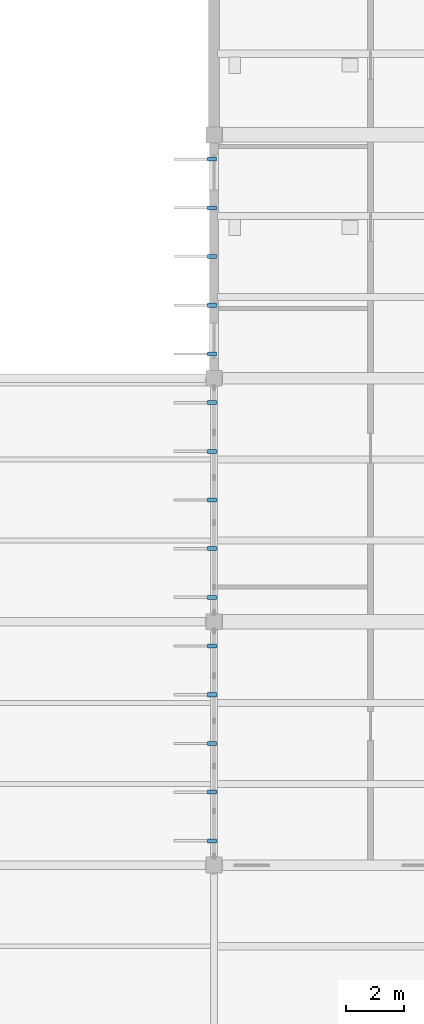
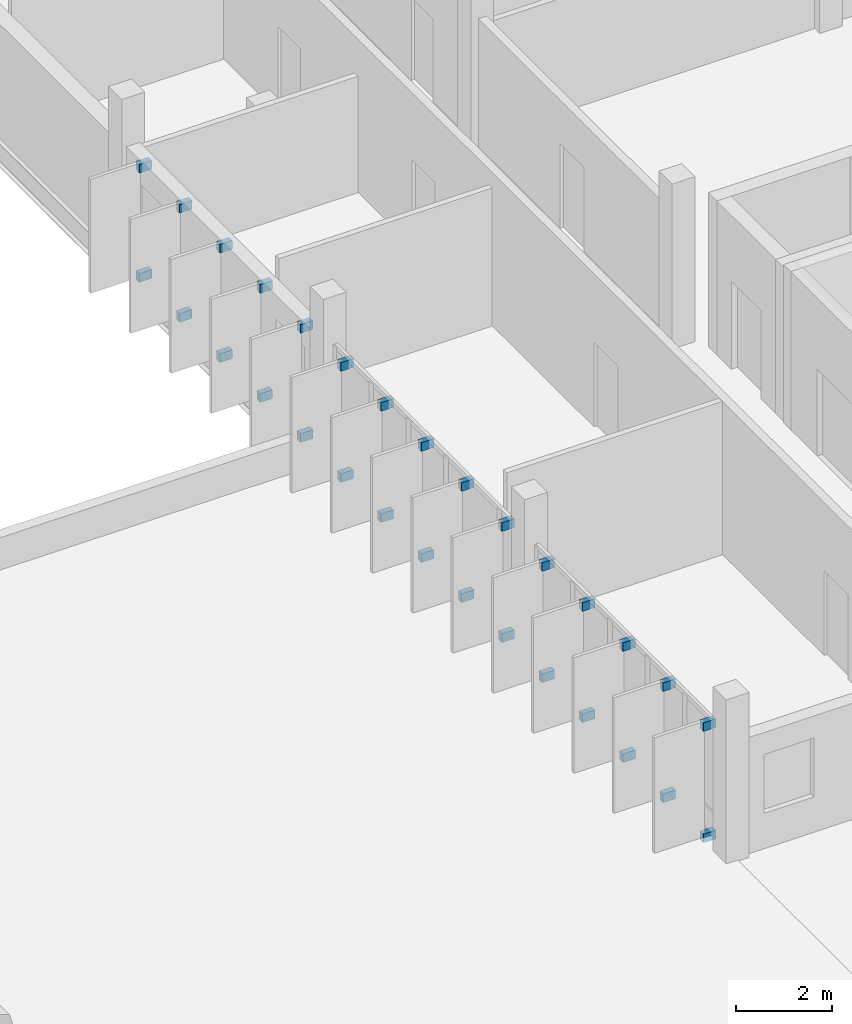
# One storey, part 120 of 130: 30 discrete accessories.
"""IFC4 building model written with IfcOpenShell, lengths in metres."""

import ifcopenshell
import ifcopenshell.guid

model = None  # the IFC model being written
_history = None  # IfcOwnerHistory: only IFC2X3 demands one
_inside = {}  # id of a spatial element -> (the spatial element, [elements in it])
_under = {}  # id of a project, library or spatial element -> (it, [spatial elements below it])
_declared = {}  # id of a project -> (the project, [libraries it declares])
_typed = {}  # id of a type object -> (the type object, [elements of that type])
_made_of = {}  # id of a material, layer set ... -> (it, [elements and type objects made of it])


def new_model(schema):
    """Start an empty IFC model of exactly this schema.

    Asked for "IFC4X3", IfcOpenShell would pick the latest addendum, in which some entities
    have other attributes; the version numbers below select the first issue.
    IFC2X3 requires an IfcOwnerHistory on every rooted entity: one is made here for all.
    """
    global model, _history
    if schema == "IFC4X3":
        model = ifcopenshell.file(schema_version=(4, 3, 0, 0))
    else:
        model = ifcopenshell.file(schema=schema)
    _inside.clear()
    _under.clear()
    _declared.clear()
    _typed.clear()
    _made_of.clear()
    _history = None
    if model.schema == "IFC2X3":
        org = make("IfcOrganization", Name="unknown")
        user = make(
            "IfcPersonAndOrganization",
            ThePerson=make("IfcPerson", FamilyName="unknown"),
            TheOrganization=org,
        )
        app = make(
            "IfcApplication",
            ApplicationDeveloper=org,
            Version="unknown",
            ApplicationFullName="unknown",
            ApplicationIdentifier="unknown",
        )
        _history = make(
            "IfcOwnerHistory",
            OwningUser=user,
            OwningApplication=app,
            ChangeAction="ADDED",
            CreationDate=0,
        )
    return model


def make(cls, **values):
    """One entity of the class cls with the attributes given. An attribute that is None is left unset."""
    return model.create_entity(
        cls, **{name: value for name, value in values.items() if value is not None}
    )


def rooted(cls, **values):
    """An entity with a GlobalId (a new one), such as an element, a storey or a relation."""
    return make(cls, GlobalId=ifcopenshell.guid.new(), OwnerHistory=_history, **values)


def si_unit(unit_type, name, prefix=None):
    """IfcSIUnit, for example si_unit("LENGTHUNIT", "METRE", prefix="MILLI")."""
    return make("IfcSIUnit", UnitType=unit_type, Prefix=prefix, Name=name)


def assignment(units):
    """IfcUnitAssignment: the units of a project."""
    return None if units is None else make("IfcUnitAssignment", Units=units)


def point(xyz):
    """IfcCartesianPoint."""
    return None if xyz is None else make("IfcCartesianPoint", Coordinates=xyz)


def direction(xyz):
    """IfcDirection."""
    return None if xyz is None else make("IfcDirection", DirectionRatios=xyz)


def frame(location, z_axis=None, x_axis=None):
    """IfcAxis2Placement3D, a coordinate frame: its origin and axes. An axis left out is left unset."""
    return make(
        "IfcAxis2Placement3D",
        Location=point(location),
        Axis=direction(z_axis),
        RefDirection=direction(x_axis),
    )


def frame_2d(location, x_axis=None):
    """IfcAxis2Placement2D, a coordinate frame in the plane: its origin and x axis."""
    return make(
        "IfcAxis2Placement2D", Location=point(location), RefDirection=direction(x_axis)
    )


def origin():
    """The frame at (0, 0, 0) with its axes left unset."""
    return frame((0.0, 0.0, 0.0))


def origin_2d():
    """The frame at (0, 0) in the plane with its x axis left unset."""
    return frame_2d((0.0, 0.0))


def place(relative_to, where):
    """IfcLocalPlacement: puts the frame where relative to a parent placement (None: the world)."""
    return make(
        "IfcLocalPlacement", PlacementRelTo=relative_to, RelativePlacement=where
    )


def context(
    kind, dimensions, precision=None, world=None, true_north=None, identifier=None
):
    """IfcGeometricRepresentationContext, for example the 3D "Model" context."""
    return make(
        "IfcGeometricRepresentationContext",
        ContextIdentifier=identifier,
        ContextType=kind,
        CoordinateSpaceDimension=dimensions,
        Precision=precision,
        WorldCoordinateSystem=world,
        TrueNorth=true_north,
    )


def subcontext(parent, identifier, kind, view, scale=None):
    """IfcGeometricRepresentationSubContext, for example "Body" below "Model"."""
    return make(
        "IfcGeometricRepresentationSubContext",
        ContextIdentifier=identifier,
        ContextType=kind,
        ParentContext=parent,
        TargetScale=scale,
        TargetView=view,
    )


def project(units=None, contexts=None):
    """IfcProject with its units and contexts."""
    return rooted(
        "IfcProject",
        Name="project",
        RepresentationContexts=contexts,
        UnitsInContext=assignment(units),
    )


def spatial(cls, under=None, at=None, **own):
    """A site, building, storey or space (cls), placed at a placement, below another one or the project."""
    s = rooted(cls, ObjectPlacement=at, **own)
    if under is not None:
        _under.setdefault(under.id(), (under, []))[1].append(s)
    return s


def profile(cls, at=None, kind="AREA", **sizes):
    """A parametric profile (cls). Its sizes go by their IFC names, for example OverallWidth=200.0."""
    return make(cls, ProfileType=kind, Position=at, **sizes)


def rectangle(**sizes):
    """IfcRectangleProfileDef."""
    return profile("IfcRectangleProfileDef", **sizes)


def extrude(swept, where, along, depth):
    """IfcExtrudedAreaSolid: the profile swept, set in the frame where, extruded along a direction by depth."""
    return make(
        "IfcExtrudedAreaSolid",
        SweptArea=swept,
        Position=where,
        ExtrudedDirection=direction(along),
        Depth=depth,
    )


def shape(context_of_items, identifier, shape_type, items):
    """IfcShapeRepresentation: the items that make up one representation, for example the "Body"."""
    return make(
        "IfcShapeRepresentation",
        ContextOfItems=context_of_items,
        RepresentationIdentifier=identifier,
        RepresentationType=shape_type,
        Items=items,
    )


def material(Name=None, Category=None):
    """IfcMaterial."""
    return make("IfcMaterial", Name=Name, Category=Category)


def made_of(thing, what):
    """Note that an element or type object is made of a material, layer set ...; save() writes the relation."""
    if what is not None:
        _made_of.setdefault(what.id(), (what, []))[1].append(thing)
    return thing


def type_object(cls, material=None, **own):
    """A type object (cls), such as IfcWallType, which elements share."""
    return made_of(rooted(cls, **own), material)


def element(
    cls,
    number,
    at=None,
    inside=None,
    cuts=None,
    type_object=None,
    material=None,
    context=None,
    identifier="Body",
    shape_type=None,
    held_by="IfcProductDefinitionShape",
    body=None,
    shapes=None,
    **own,
):
    """One element of the class cls, such as IfcWall. Its Tag is "e" and its number.

    at: its placement. inside: the storey or other place that contains it. cuts: it is an
    opening in that element (IfcRelVoidsElement). A single representation is given by context,
    identifier, shape_type and body (its items); several are given by shapes. held_by: the class
    of the entity that holds the representations. save() writes the other relations.
    """
    e = rooted(cls, Tag="e%d" % number, ObjectPlacement=at, **own)
    if body is not None:
        shapes = [shape(context, identifier, shape_type, body)]
    if shapes is not None:
        e.Representation = make(held_by, Representations=shapes)
    if inside is not None:
        _inside.setdefault(inside.id(), (inside, []))[1].append(e)
    if cuts is not None:
        rooted(
            "IfcRelVoidsElement", RelatingBuildingElement=cuts, RelatedOpeningElement=e
        )
    if type_object is not None:
        _typed.setdefault(type_object.id(), (type_object, []))[1].append(e)
    return made_of(e, material)


def aggregate(whole, parts):
    """IfcRelAggregates: a whole, such as a stair, and the parts it consists of."""
    return rooted("IfcRelAggregates", RelatingObject=whole, RelatedObjects=parts)


def save(model, path):
    """Write the relations noted so far, then the file.

    IfcRelAggregates (storeys below a building ...), IfcRelContainedInSpatialStructure (elements
    in a storey), IfcRelDefinesByType, IfcRelAssociatesMaterial and IfcRelDeclares: one each for
    every whole, place, type object, material and project.
    """
    for whole, parts in _under.values():
        aggregate(whole, parts)
    for where, things in _inside.values():
        rooted(
            "IfcRelContainedInSpatialStructure",
            RelatedElements=things,
            RelatingStructure=where,
        )
    for kind, things in _typed.values():
        rooted("IfcRelDefinesByType", RelatedObjects=things, RelatingType=kind)
    for what, things in _made_of.values():
        rooted("IfcRelAssociatesMaterial", RelatedObjects=things, RelatingMaterial=what)
    for by, libraries in _declared.values():
        rooted("IfcRelDeclares", RelatingContext=by, RelatedDefinitions=libraries)
    model.write(path)


model = new_model("IFC4")

# Units and contexts
model_context = context("Model", 3, precision=1e-05, world=origin(), true_north=direction((0.0, 1.0)))
body_context = subcontext(model_context, "Body", "Model", "MODEL_VIEW")
ifc_project = project(units=[si_unit("LENGTHUNIT", "METRE"), si_unit("AREAUNIT", "SQUARE_METRE"), si_unit("VOLUMEUNIT", "CUBIC_METRE"), si_unit("PLANEANGLEUNIT", "RADIAN"), si_unit("MASSUNIT", "GRAM", prefix="KILO")], contexts=[model_context])

# Site, building, storey
site_placement = place(None, origin())
site = spatial("IfcSite", under=ifc_project, at=site_placement, CompositionType="ELEMENT")
building_placement = place(site_placement, origin())
building = spatial("IfcBuilding", under=site, at=building_placement, Name="Vireocrest Preparatory School", CompositionType="ELEMENT")
storey_placement = place(building_placement, frame((0.0, 0.0, 9.0)))
storey = spatial("IfcBuildingStorey", under=building, at=storey_placement, Name="L02", CompositionType="ELEMENT", Elevation=9.0)

# Discrete accessories
ifc_material = material(Name="Structural steel ASTM A572 Grade 50", Category="steel")
discrete_accessory_type = type_object("IfcDiscreteAccessoryType", Name="Slab-Edge Steel Outrigger Fin Bracket", PredefinedType="BRACKET", material=ifc_material)
for number, where, z_axis, x_axis, name in (
    (1, (41.929931640625, 36.239990234375, -0.08984375), (0.0, 0.0, 1.0), (0.0, 1.0, 0.0), "Solar Fin Outrigger Bracket BK1 L02-33-1-BOT"),
    (2, (41.929931640625, 36.239990234375, 2.740234375), (0.0, 0.0, 1.0), (0.0, 1.0, 0.0), "Solar Fin Outrigger Bracket BK1 L02-33-1-TOP"),
    (3, (41.929931640625, 37.919921875, -0.08984375), (0.0, 0.0, 1.0), (0.0, 1.0, 0.0), "Solar Fin Outrigger Bracket BK1 L02-33-2-BOT"),
    (4, (41.929931640625, 37.919921875, 2.740234375), (0.0, 0.0, 1.0), (0.0, 1.0, 0.0), "Solar Fin Outrigger Bracket BK1 L02-33-2-TOP"),
    (5, (41.929931640625, 39.60009765625, -0.08984375), (0.0, 0.0, 1.0), (0.0, 1.0, 0.0), "Solar Fin Outrigger Bracket BK1 L02-33-3-BOT"),
    (6, (41.929931640625, 39.60009765625, 2.740234375), (0.0, 0.0, 1.0), (0.0, 1.0, 0.0), "Solar Fin Outrigger Bracket BK1 L02-33-3-TOP"),
    (7, (41.929931640625, 41.280029296875, -0.08984375), (0.0, 0.0, 1.0), (0.0, 1.0, 0.0), "Solar Fin Outrigger Bracket BK1 L02-33-4-BOT"),
    (8, (41.929931640625, 41.280029296875, 2.740234375), (0.0, 0.0, 1.0), (0.0, 1.0, 0.0), "Solar Fin Outrigger Bracket BK1 L02-33-4-TOP"),
    (9, (41.929931640625, 42.9599609375, -0.08984375), (0.0, 0.0, 1.0), (0.0, 1.0, 0.0), "Solar Fin Outrigger Bracket BK1 L02-33-5-BOT"),
    (10, (41.929931640625, 42.9599609375, 2.740234375), (0.0, 0.0, 1.0), (0.0, 1.0, 0.0), "Solar Fin Outrigger Bracket BK1 L02-33-5-TOP"),
    (11, (41.929931640625, 44.639892578125, -0.08984375), (0.0, 0.0, 1.0), (0.0, 1.0, 0.0), "Solar Fin Outrigger Bracket BK1 L02-34-1-BOT"),
    (12, (41.929931640625, 44.639892578125, 2.740234375), (0.0, 0.0, 1.0), (0.0, 1.0, 0.0), "Solar Fin Outrigger Bracket BK1 L02-34-1-TOP"),
    (13, (41.929931640625, 46.320068359375, -0.08984375), (0.0, 0.0, 1.0), (0.0, 1.0, 0.0), "Solar Fin Outrigger Bracket BK1 L02-34-2-BOT"),
    (14, (41.929931640625, 46.320068359375, 2.740234375), (0.0, 0.0, 1.0), (0.0, 1.0, 0.0), "Solar Fin Outrigger Bracket BK1 L02-34-2-TOP"),
    (15, (41.929931640625, 48.0, -0.08984375), (0.0, 0.0, 1.0), (0.0, 1.0, 0.0), "Solar Fin Outrigger Bracket BK1 L02-34-3-BOT"),
    (16, (41.929931640625, 48.0, 2.740234375), (0.0, 0.0, 1.0), (0.0, 1.0, 0.0), "Solar Fin Outrigger Bracket BK1 L02-34-3-TOP"),
    (17, (41.929931640625, 49.679931640625, -0.08984375), (0.0, 0.0, 1.0), (0.0, 1.0, 0.0), "Solar Fin Outrigger Bracket BK1 L02-34-4-BOT"),
    (18, (41.929931640625, 49.679931640625, 2.740234375), (0.0, 0.0, 1.0), (0.0, 1.0, 0.0), "Solar Fin Outrigger Bracket BK1 L02-34-4-TOP"),
    (19, (41.929931640625, 51.360107421875, -0.08984375), (0.0, 0.0, 1.0), (0.0, 1.0, 0.0), "Solar Fin Outrigger Bracket BK1 L02-34-5-BOT"),
    (20, (41.929931640625, 51.360107421875, 2.740234375), (0.0, 0.0, 1.0), (0.0, 1.0, 0.0), "Solar Fin Outrigger Bracket BK1 L02-34-5-TOP"),
    (21, (41.929931640625, 53.0400390625, -0.08984375), (0.0, 0.0, 1.0), (0.0, 1.0, 0.0), "Solar Fin Outrigger Bracket BK1 L02-35-1-BOT"),
    (22, (41.929931640625, 53.0400390625, 2.68994140625), (0.0, 0.0, 1.0), (0.0, 1.0, 0.0), "Solar Fin Outrigger Bracket BK1 L02-35-1-TOP"),
    (23, (41.929931640625, 54.719970703125, -0.08984375), (0.0, 0.0, 1.0), (0.0, 1.0, 0.0), "Solar Fin Outrigger Bracket BK1 L02-35-2-BOT"),
    (24, (41.929931640625, 54.719970703125, 2.68994140625), (0.0, 0.0, 1.0), (0.0, 1.0, 0.0), "Solar Fin Outrigger Bracket BK1 L02-35-2-TOP"),
    (25, (41.929931640625, 56.39990234375, -0.08984375), (0.0, 0.0, 1.0), (0.0, 1.0, 0.0), "Solar Fin Outrigger Bracket BK1 L02-35-3-BOT"),
    (26, (41.929931640625, 56.39990234375, 2.68994140625), (0.0, 0.0, 1.0), (0.0, 1.0, 0.0), "Solar Fin Outrigger Bracket BK1 L02-35-3-TOP"),
    (27, (41.929931640625, 58.080078125, -0.08984375), (0.0, 0.0, 1.0), (0.0, 1.0, 0.0), "Solar Fin Outrigger Bracket BK1 L02-35-4-BOT"),
    (28, (41.929931640625, 58.080078125, 2.68994140625), (0.0, 0.0, 1.0), (0.0, 1.0, 0.0), "Solar Fin Outrigger Bracket BK1 L02-35-4-TOP"),
    (29, (41.929931640625, 59.760009765625, -0.08984375), (0.0, 0.0, 1.0), (0.0, 1.0, 0.0), "Solar Fin Outrigger Bracket BK1 L02-35-5-BOT"),
    (30, (41.929931640625, 59.760009765625, 2.68994140625), (0.0, 0.0, 1.0), (0.0, 1.0, 0.0), "Solar Fin Outrigger Bracket BK1 L02-35-5-TOP"),
):
    element("IfcDiscreteAccessory", number, at=place(storey_placement, frame(where, z_axis=z_axis, x_axis=x_axis)), inside=storey, type_object=discrete_accessory_type, Name=name, PredefinedType="BRACKET", context=body_context, shape_type="SweptSolid", body=[
        extrude(rectangle(XDim=0.139892578125, YDim=0.300048828125, at=origin_2d()), origin(), (0.0, 0.0, 1.0), 0.219970703125),
    ])

save(model, "model.ifc")
